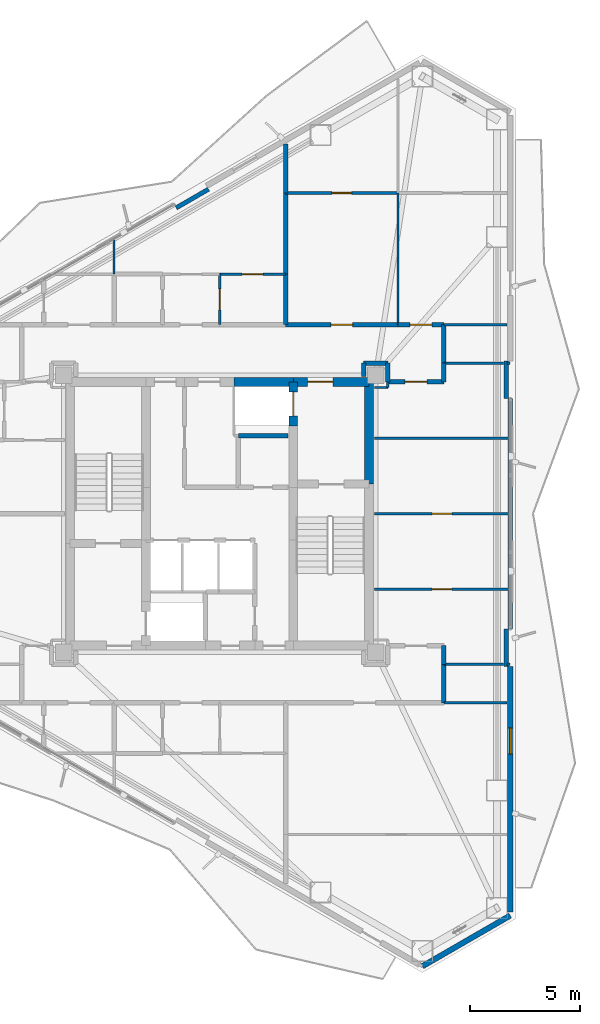
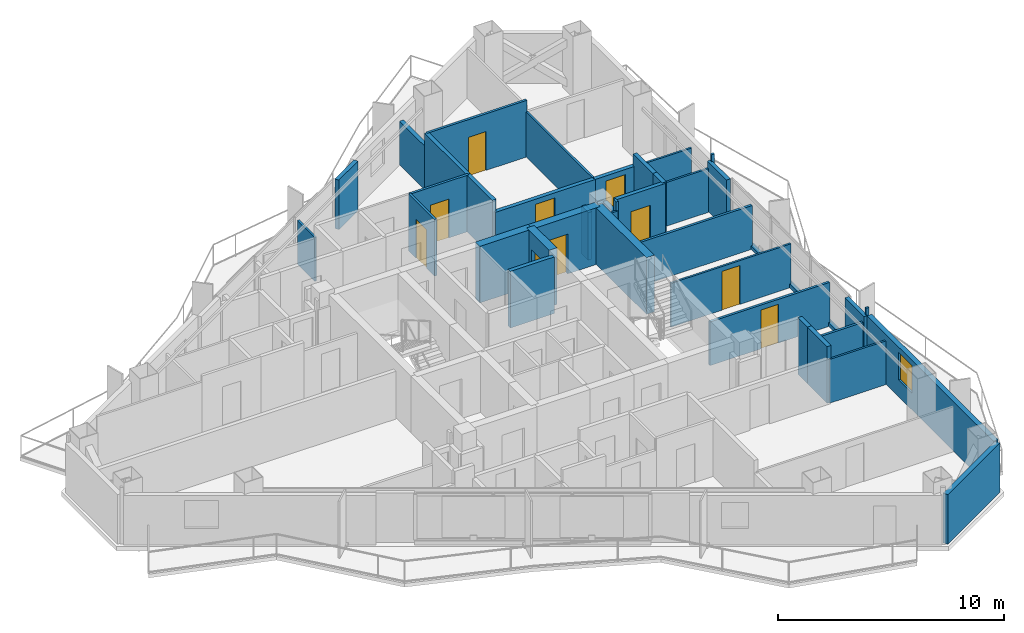
# One storey, part 15 of 18: 40 walls, 10 doors, 1 window, 11 openings.
"""IFC4 building model written with IfcOpenShell, lengths in metres."""

from ifc_helpers import new_model, si_unit, direction, frame, frame_2d, origin, place, context, subcontext, project, spatial, rectangle, extrude, material, layer, layer_set, type_object, element, fill, save


model = new_model("IFC4")

# Units and contexts
model_context = context("Model", 3, precision=1e-05, world=origin(), true_north=direction((0.0, 1.0)))
body_context = subcontext(model_context, "Body", "Model", "MODEL_VIEW")
ifc_project = project(units=[si_unit("LENGTHUNIT", "METRE"), si_unit("AREAUNIT", "SQUARE_METRE"), si_unit("VOLUMEUNIT", "CUBIC_METRE"), si_unit("PLANEANGLEUNIT", "RADIAN"), si_unit("MASSUNIT", "GRAM", prefix="KILO")], contexts=[model_context])

# Site, building, storey
site_placement = place(None, origin())
site = spatial("IfcSite", under=ifc_project, at=site_placement, CompositionType="ELEMENT")
building_placement = place(site_placement, origin())
building = spatial("IfcBuilding", under=site, at=building_placement, Name="Mersakhor Tower and Convention Hall", CompositionType="ELEMENT")
storey_placement = place(building_placement, frame((0.0, 0.0, 150.89990234375)))
storey = spatial("IfcBuildingStorey", under=building, at=storey_placement, Name="L42", CompositionType="ELEMENT", Elevation=150.89990234375)

# Wall
ifc_material_1 = material(Name="Precast concrete C40/50", Category="concrete")
ifc_layer_1 = layer(ifc_material_1, 0.25)
ifc_layer_set_1 = layer_set([ifc_layer_1], Name="Precast concrete C40/50")
wall_type_1 = type_object("IfcWallType", Name="WL-EXT-250", PredefinedType="SOLIDWALL", material=ifc_layer_set_1)
wall_1_placement = place(storey_placement, frame((42.21923828125, 8.470947265625, 0.0), z_axis=(0.0, 0.0, 1.0), x_axis=(-0.866035021055, -0.499983342029, 0.0)))
element("IfcWall", 1, at=wall_1_placement, inside=storey, type_object=wall_type_1, Name="L42 Chamfer Braced Spandrel Wall C2", PredefinedType="SOLIDWALL", context=body_context, shape_type="SweptSolid", body=[
    extrude(rectangle(XDim=4.617431640625, YDim=0.25, at=frame_2d((2.30859375, 0.0))), origin(), (0.0, 0.0, 1.0), 2.68017578125),
])

# Wall, opening, window
wall_2_placement = place(storey_placement, frame((42.21923828125, 19.806884765625, 0.0), z_axis=(0.0, 0.0, 1.0), x_axis=(0.0, -1.0, 0.0)))
wall_2 = element("IfcWall", 2, at=wall_2_placement, inside=storey, type_object=wall_type_1, Name="L42 Exterior Facade Wall F2-B3", PredefinedType="SOLIDWALL", context=body_context, shape_type="SweptSolid", body=[
    extrude(rectangle(XDim=11.185791015625, YDim=0.25, at=frame_2d((5.5927734375, 0.0))), origin(), (0.0, 0.0, 1.0), 2.68017578125),
])
opening_1_placement = place(wall_2_placement, frame((2.7958984375, 0.0, 0.89990234375)))
opening_1 = element("IfcOpeningElement", 3, at=opening_1_placement, cuts=wall_2, Name="Opening W-01", PredefinedType="OPENING", context=body_context, shape_type="SweptSolid", body=[
    extrude(rectangle(XDim=1.199951171875, YDim=1.5, at=frame_2d((0.60009765625, 0.75))), frame((0.0, 0.135009765625, 0.0), z_axis=(0.0, -1.0, 0.0), x_axis=(1.0, 0.0, 0.0)), (0.0, 0.0, 1.0), 0.27001953125),
])
ifc_material_2 = material(Name="Dark solar low-E glazed aluminium window", Category="aluminium")
window_type = type_object("IfcWindowType", Name="WN-RES-120x150", PartitioningType="SINGLE_PANEL", PredefinedType="WINDOW", material=ifc_material_2)
window_placement = place(opening_1_placement, origin())
window = element("IfcWindow", 4, at=window_placement, inside=storey, type_object=window_type, Name="L42 Facade Punched Window F2-B3", OverallHeight=1.5, OverallWidth=1.199951171875, PartitioningType="SINGLE_PANEL", PredefinedType="WINDOW", context=body_context, shape_type="SweptSolid", body=[
    extrude(rectangle(XDim=1.199951171875, YDim=1.5, at=frame_2d((0.60009765625, 0.75))), frame((0.0, 0.030029296875, 0.0), z_axis=(0.0, -1.0, 0.0), x_axis=(1.0, 0.0, 0.0)), (0.0, 0.0, 1.0), 0.06005859375),
])
fill(opening_1, window)

# Walls
ifc_material_3 = material(Name="Precast concrete C40/50", Category="concrete")
ifc_layer_2 = layer(ifc_material_3, 0.199951171875)
ifc_layer_set_2 = layer_set([ifc_layer_2], Name="Precast concrete C40/50")
wall_type_2 = type_object("IfcWallType", Name="WL-PAR-200", PredefinedType="PARAPET", material=ifc_layer_set_2)
wall_3_placement = place(storey_placement, frame((27.02099609375, 40.663818359375, 0.0), z_axis=(0.0, 0.0, 1.0), x_axis=(0.86605165483, 0.499954529098, 0.0)))
element("IfcWall", 5, at=wall_3_placement, inside=storey, type_object=wall_type_2, Name="L42 Column Pier Cladding Wall F1-C2", PredefinedType="PARAPET", context=body_context, shape_type="SweptSolid", body=[
    extrude(rectangle(XDim=1.699951171875, YDim=0.199951171875, at=frame_2d((0.85009765625, 0.0))), origin(), (0.0, 0.0, 1.0), 2.68017578125),
])
wall_4_placement = place(storey_placement, frame((42.21923828125, 31.992919921875, 0.0), z_axis=(0.0, 0.0, 1.0), x_axis=(0.0, -1.0, 0.0)))
element("IfcWall", 6, at=wall_4_placement, inside=storey, type_object=wall_type_2, Name="L42 Curtain Wall Upstand Sill F2-B2", PredefinedType="PARAPET", context=body_context, shape_type="SweptSolid", body=[
    extrude(rectangle(XDim=10.48583984375, YDim=0.199951171875, at=frame_2d((5.242919921875, 0.0))), origin(), (0.0, 0.0, 1.0), 0.2001953125),
])
for number, where, z_axis, x_axis, name in (
    (7, (42.039306640625, 33.693115234375, 0.0), (0.0, 0.0, 1.0), (0.0, -1.0, 0.0), "L42 Column Pier Cladding Wall F2-C1"),
    (8, (42.039306640625, 21.507080078125, 0.0), (0.0, 0.0, 1.0), (0.0, -1.0, 0.0), "L42 Column Pier Cladding Wall F2-C2"),
):
    element("IfcWall", number, at=place(storey_placement, frame(where, z_axis=z_axis, x_axis=x_axis)), inside=storey, type_object=wall_type_2, Name=name, PredefinedType="PARAPET", context=body_context, shape_type="SweptSolid", body=[
        extrude(rectangle(XDim=1.7001953125, YDim=0.199951171875, at=frame_2d((0.85009765625, 0.0))), origin(), (0.0, 0.0, 1.0), 2.68017578125),
    ])
ifc_material_4 = material(Name="Lightweight gypsum partition", Category="other")
ifc_layer_3 = layer(ifc_material_4, 0.10009765625)
ifc_layer_set_3 = layer_set([ifc_layer_3], Name="Lightweight gypsum partition")
wall_type_3 = type_object("IfcWallType", Name="WL-PRT-100", PredefinedType="PARTITIONING", material=ifc_layer_set_3)
wall_5_placement = place(storey_placement, frame((37.110107421875, 41.340087890625, 0.0), z_axis=(0.0, 0.0, 1.0), x_axis=(0.0, -1.0, 0.0)))
element("IfcWall", 9, at=wall_5_placement, inside=storey, type_object=wall_type_3, Name="L42 Interior Partition Wall P-080", PredefinedType="PARTITIONING", context=body_context, shape_type="SweptSolid", body=[
    extrude(rectangle(XDim=5.989990234375, YDim=0.10009765625, at=frame_2d((2.9951171875, 0.0))), origin(), (0.0, 0.0, 1.0), 2.432861328125),
])
for number, where, z_axis, x_axis, name in (
    (10, (42.0703125, 35.35009765625, 0.0), (0.0, 0.0, 1.0), (-1.0, 0.0, 0.0), "L42 Interior Partition Wall P-082"),
    (11, (39.199951171875, 18.14990234375, 0.0), (0.0, 0.0, 1.0), (1.0, 0.0, 0.0), "L42 Interior Partition Wall P-088"),
):
    element("IfcWall", number, at=place(storey_placement, frame(where, z_axis=z_axis, x_axis=x_axis)), inside=storey, type_object=wall_type_3, Name=name, PredefinedType="PARTITIONING", context=body_context, shape_type="SweptSolid", body=[
        extrude(rectangle(XDim=2.870361328125, YDim=0.10009765625, at=frame_2d((1.43505859375, 0.0))), origin(), (0.0, 0.0, 1.0), 2.364990234375),
    ])
wall_6_placement = place(storey_placement, frame((42.218994140625, 19.89990234375, 0.0), z_axis=(0.0, 0.0, 1.0), x_axis=(-1.0, 0.0, 0.0)))
element("IfcWall", 12, at=wall_6_placement, inside=storey, type_object=wall_type_3, Name="L42 Interior Partition Wall P-098", PredefinedType="PARTITIONING", context=body_context, shape_type="SweptSolid", body=[
    extrude(rectangle(XDim=0.144775390625, YDim=0.10009765625, at=frame_2d((0.072265625, 0.0))), origin(), (0.0, 0.0, 1.0), 3.06005859375),
])

# Wall, opening, door
wall_7_placement = place(storey_placement, frame((36.050048828125, 26.75, 0.0), z_axis=(0.0, 0.0, 1.0), x_axis=(1.0, 0.0, 0.0)))
wall_7 = element("IfcWall", 13, at=wall_7_placement, inside=storey, type_object=wall_type_3, Name="L42 Interior Partition Wall P-100", PredefinedType="PARTITIONING", context=body_context, shape_type="SweptSolid", body=[
    extrude(rectangle(XDim=6.131103515625, YDim=0.10009765625, at=frame_2d((3.0654296875, 0.0))), origin(), (0.0, 0.0, 1.0), 2.364990234375),
])
opening_2_placement = place(wall_7_placement, frame((2.615478515625, 0.0, 0.0)))
opening_2 = element("IfcOpeningElement", 14, at=opening_2_placement, cuts=wall_7, Name="Opening WD-01", PredefinedType="OPENING", context=body_context, shape_type="SweptSolid", body=[
    extrude(rectangle(XDim=0.89990234375, YDim=2.10009765625, at=frame_2d((0.449951171875, 1.050048828125))), frame((0.0, 0.06005859375, 0.0), z_axis=(0.0, -1.0, 0.0), x_axis=(1.0, 0.0, 0.0)), (0.0, 0.0, 1.0), 0.1201171875),
])
ifc_material_5 = material(Name="Solid-core hardwood leaf in painted steel frame", Category="steel")
door_type_1 = type_object("IfcDoorType", Name="DR-INT-WET-090x210", OperationType="NOTDEFINED", PredefinedType="DOOR", material=ifc_material_5)
door_1_placement = place(opening_2_placement, origin())
door_1 = element("IfcDoor", 15, at=door_1_placement, inside=storey, type_object=door_type_1, Name="L42 L42 East Wing Shared Study Room Annex to L42 East Wing Shared Study Room Annex Door", OperationType="SINGLE_SWING_RIGHT", OverallHeight=2.10009765625, OverallWidth=0.89990234375, PredefinedType="DOOR", context=body_context, shape_type="SweptSolid", body=[
    extrude(rectangle(XDim=0.89990234375, YDim=2.10009765625, at=frame_2d((0.449951171875, 1.050048828125))), frame((0.0, 0.02490234375, 0.0), z_axis=(0.0, -1.0, 0.0), x_axis=(1.0, 0.0, 0.0)), (0.0, 0.0, 1.0), 0.050048828125),
])
fill(opening_2, door_1)

# Walls
wall_8_placement = place(storey_placement, frame((39.199951171875, 33.60009765625, 0.0), z_axis=(0.0, 0.0, 1.0), x_axis=(1.0, 0.0, 0.0)))
element("IfcWall", 16, at=wall_8_placement, inside=storey, type_object=wall_type_3, Name="L42 Interior Partition Wall P-102", PredefinedType="PARTITIONING", context=body_context, shape_type="SweptSolid", body=[
    extrude(rectangle(XDim=2.71533203125, YDim=0.10009765625, at=frame_2d((1.357666015625, 0.0))), origin(), (0.0, 0.0, 1.0), 2.364990234375),
])
wall_9_placement = place(storey_placement, frame((36.050048828125, 32.5, 0.0), z_axis=(0.0, 0.0, 1.0), x_axis=(1.0, 0.0, 0.0)))
element("IfcWall", 17, at=wall_9_placement, inside=storey, type_object=wall_type_3, Name="L42 Interior Partition Wall P-104", PredefinedType="PARTITIONING", context=body_context, shape_type="SweptSolid", body=[
    extrude(rectangle(XDim=0.599853515625, YDim=0.10009765625, at=frame_2d((0.2998046875, 0.0))), origin(), (0.0, 0.0, 1.0), 2.585205078125),
])
wall_10_placement = place(storey_placement, frame((24.199951171875, 37.64990234375, 0.0), z_axis=(0.0, 0.0, 1.0), x_axis=(0.0, 1.0, 0.0)))
element("IfcWall", 18, at=wall_10_placement, inside=storey, type_object=wall_type_3, Name="L42 Interior Partition Wall P-110", PredefinedType="PARTITIONING", context=body_context, shape_type="SweptSolid", body=[
    extrude(rectangle(XDim=1.549072265625, YDim=0.10009765625, at=frame_2d((0.7744140625, 0.0))), origin(), (0.0, 0.0, 1.0), 2.364990234375),
])

# Wall, opening, door
ifc_material_6 = material(Name="Gypsum board acoustic partition", Category="other")
ifc_layer_4 = layer(ifc_material_6, 0.125)
ifc_layer_set_4 = layer_set([ifc_layer_4], Name="Gypsum board acoustic partition")
wall_type_4 = type_object("IfcWallType", Name="WL-PRT-125", PredefinedType="PARTITIONING", material=ifc_layer_set_4)
wall_11_placement = place(storey_placement, frame((29.0, 37.64990234375, 0.0), z_axis=(0.0, 0.0, 1.0), x_axis=(0.0, -1.0, 0.0)))
wall_11 = element("IfcWall", 19, at=wall_11_placement, inside=storey, type_object=wall_type_4, Name="L42 Interior Partition Wall P-053", PredefinedType="PARTITIONING", context=body_context, shape_type="SweptSolid", body=[
    extrude(rectangle(XDim=2.2998046875, YDim=0.125, at=frame_2d((1.14990234375, 0.0))), origin(), (0.0, 0.0, 1.0), 3.06005859375),
])
opening_3_placement = place(wall_11_placement, frame((0.675048828125, 0.0, 0.0)))
opening_3 = element("IfcOpeningElement", 20, at=opening_3_placement, cuts=wall_11, Name="Opening RD-01", PredefinedType="OPENING", context=body_context, shape_type="SweptSolid", body=[
    extrude(rectangle(XDim=0.949951171875, YDim=2.10009765625, at=frame_2d((0.47509765625, 1.050048828125))), frame((0.0, 0.072509765625, 0.0), z_axis=(0.0, -1.0, 0.0), x_axis=(1.0, 0.0, 0.0)), (0.0, 0.0, 1.0), 0.14501953125),
])
ifc_material_7 = material(Name="Solid-core hardwood leaf in painted steel frame", Category="steel")
door_type_2 = type_object("IfcDoorType", Name="DR-INT-RM-095x210", OperationType="NOTDEFINED", PredefinedType="DOOR", material=ifc_material_7)
door_2_placement = place(opening_3_placement, origin())
door_2 = element("IfcDoor", 21, at=door_2_placement, inside=storey, type_object=door_type_2, Name="L42 L42 Flat N2 Apartment Hall to L42 Flat N2 Kitchen Door", OperationType="SINGLE_SWING_RIGHT", OverallHeight=2.10009765625, OverallWidth=0.949951171875, PredefinedType="DOOR", context=body_context, shape_type="SweptSolid", body=[
    extrude(rectangle(XDim=0.949951171875, YDim=2.10009765625, at=frame_2d((0.47509765625, 1.050048828125))), frame((0.0, 0.02490234375, 0.0), z_axis=(0.0, -1.0, 0.0), x_axis=(1.0, 0.0, 0.0)), (0.0, 0.0, 1.0), 0.050048828125),
])
fill(opening_3, door_2)

wall_12_placement = place(storey_placement, frame((29.0, 37.64990234375, 0.0), z_axis=(0.0, 0.0, 1.0), x_axis=(1.0, 0.0, 0.0)))
wall_12 = element("IfcWall", 22, at=wall_12_placement, inside=storey, type_object=wall_type_4, Name="L42 Interior Partition Wall P-065", PredefinedType="PARTITIONING", context=body_context, shape_type="SweptSolid", body=[
    extrude(rectangle(XDim=3.0, YDim=0.125, at=frame_2d((1.5, 0.0))), origin(), (0.0, 0.0, 1.0), 3.06005859375),
])
opening_4_placement = place(wall_12_placement, frame((1.02490234375, 0.0, 0.0)))
opening_4 = element("IfcOpeningElement", 23, at=opening_4_placement, cuts=wall_12, Name="Opening RD-01", PredefinedType="OPENING", context=body_context, shape_type="SweptSolid", body=[
    extrude(rectangle(XDim=0.949951171875, YDim=2.10009765625, at=frame_2d((0.47509765625, 1.050048828125))), frame((0.0, 0.072509765625, 0.0), z_axis=(0.0, -1.0, 0.0), x_axis=(1.0, 0.0, 0.0)), (0.0, 0.0, 1.0), 0.14501953125),
])
door_3_placement = place(opening_4_placement, origin())
door_3 = element("IfcDoor", 24, at=door_3_placement, inside=storey, type_object=door_type_2, Name="L42 L42 Flat N2 Kitchen to L42 Flat N2 Studio Living and Sleeping Room Door", OperationType="SINGLE_SWING_LEFT", OverallHeight=2.10009765625, OverallWidth=0.949951171875, PredefinedType="DOOR", context=body_context, shape_type="SweptSolid", body=[
    extrude(rectangle(XDim=0.949951171875, YDim=2.10009765625, at=frame_2d((0.47509765625, 1.050048828125))), frame((0.0, 0.02490234375, 0.0), z_axis=(0.0, -1.0, 0.0), x_axis=(1.0, 0.0, 0.0)), (0.0, 0.0, 1.0), 0.050048828125),
])
fill(opening_4, door_3)

wall_13_placement = place(storey_placement, frame((32.0, 41.340087890625, 0.0), z_axis=(0.0, 0.0, 1.0), x_axis=(1.0, 0.0, 0.0)))
wall_13 = element("IfcWall", 25, at=wall_13_placement, inside=storey, type_object=wall_type_4, Name="L42 Interior Partition Wall P-079", PredefinedType="PARTITIONING", context=body_context, shape_type="SweptSolid", body=[
    extrude(rectangle(XDim=5.110107421875, YDim=0.125, at=frame_2d((2.55517578125, 0.0))), origin(), (0.0, 0.0, 1.0), 3.06005859375),
])
opening_5_placement = place(wall_13_placement, frame((2.10498046875, 0.0, 0.0)))
opening_5 = element("IfcOpeningElement", 26, at=opening_5_placement, cuts=wall_13, Name="Opening WD-01", PredefinedType="OPENING", context=body_context, shape_type="SweptSolid", body=[
    extrude(rectangle(XDim=0.89990234375, YDim=2.10009765625, at=frame_2d((0.449951171875, 1.050048828125))), frame((0.0, 0.072509765625, 0.0), z_axis=(0.0, -1.0, 0.0), x_axis=(1.0, 0.0, 0.0)), (0.0, 0.0, 1.0), 0.14501953125),
])
door_4_placement = place(opening_5_placement, origin())
door_4 = element("IfcDoor", 27, at=door_4_placement, inside=storey, type_object=door_type_1, Name="L42 L42 North-East Residents Study Room to L42 North-East Residents Study Room Annex Door", OperationType="SINGLE_SWING_RIGHT", OverallHeight=2.10009765625, OverallWidth=0.89990234375, PredefinedType="DOOR", context=body_context, shape_type="SweptSolid", body=[
    extrude(rectangle(XDim=0.89990234375, YDim=2.10009765625, at=frame_2d((0.449951171875, 1.050048828125))), frame((0.0, 0.02490234375, 0.0), z_axis=(0.0, -1.0, 0.0), x_axis=(1.0, 0.0, 0.0)), (0.0, 0.0, 1.0), 0.050048828125),
])
fill(opening_5, door_4)

wall_14_placement = place(storey_placement, frame((36.050048828125, 23.320068359375, 0.0), z_axis=(0.0, 0.0, 1.0), x_axis=(1.0, 0.0, 0.0)))
wall_14 = element("IfcWall", 28, at=wall_14_placement, inside=storey, type_object=wall_type_4, Name="L42 Interior Partition Wall P-097", PredefinedType="PARTITIONING", context=body_context, shape_type="SweptSolid", body=[
    extrude(rectangle(XDim=6.131103515625, YDim=0.125, at=frame_2d((3.0654296875, 0.0))), origin(), (0.0, 0.0, 1.0), 2.364990234375),
])
opening_6_placement = place(wall_14_placement, frame((2.615478515625, 0.0, 0.0)))
opening_6 = element("IfcOpeningElement", 29, at=opening_6_placement, cuts=wall_14, Name="Opening WD-01", PredefinedType="OPENING", context=body_context, shape_type="SweptSolid", body=[
    extrude(rectangle(XDim=0.89990234375, YDim=2.10009765625, at=frame_2d((0.449951171875, 1.050048828125))), frame((0.0, 0.072509765625, 0.0), z_axis=(0.0, -1.0, 0.0), x_axis=(1.0, 0.0, 0.0)), (0.0, 0.0, 1.0), 0.14501953125),
])
door_5_placement = place(opening_6_placement, origin())
door_5 = element("IfcDoor", 30, at=door_5_placement, inside=storey, type_object=door_type_1, Name="L42 L42 East Wing Shared Study Room to L42 East Wing Shared Study Room Annex Door", OperationType="SINGLE_SWING_LEFT", OverallHeight=2.10009765625, OverallWidth=0.89990234375, PredefinedType="DOOR", context=body_context, shape_type="SweptSolid", body=[
    extrude(rectangle(XDim=0.89990234375, YDim=2.10009765625, at=frame_2d((0.449951171875, 1.050048828125))), frame((0.0, 0.02490234375, 0.0), z_axis=(0.0, -1.0, 0.0), x_axis=(1.0, 0.0, 0.0)), (0.0, 0.0, 1.0), 0.050048828125),
])
fill(opening_6, door_5)

# Walls
wall_15_placement = place(storey_placement, frame((41.915283203125, 19.89990234375, 0.0), z_axis=(0.0, 0.0, 1.0), x_axis=(-1.0, 0.0, 0.0)))
element("IfcWall", 31, at=wall_15_placement, inside=storey, type_object=wall_type_4, Name="L42 Interior Partition Wall P-099", PredefinedType="PARTITIONING", context=body_context, shape_type="SweptSolid", body=[
    extrude(rectangle(XDim=2.71533203125, YDim=0.125, at=frame_2d((1.357666015625, 0.0))), origin(), (0.0, 0.0, 1.0), 2.364990234375),
])
wall_16_placement = place(storey_placement, frame((36.050048828125, 30.179931640625, 0.0), z_axis=(0.0, 0.0, 1.0), x_axis=(1.0, 0.0, 0.0)))
element("IfcWall", 32, at=wall_16_placement, inside=storey, type_object=wall_type_4, Name="L42 Interior Partition Wall P-101", PredefinedType="PARTITIONING", context=body_context, shape_type="SweptSolid", body=[
    extrude(rectangle(XDim=6.131103515625, YDim=0.125, at=frame_2d((3.0654296875, 0.0))), origin(), (0.0, 0.0, 1.0), 2.364990234375),
])
wall_17_placement = place(storey_placement, frame((42.07421875, 33.60009765625, 0.0), z_axis=(0.0, 0.0, 1.0), x_axis=(1.0, 0.0, 0.0)))
element("IfcWall", 33, at=wall_17_placement, inside=storey, type_object=wall_type_4, Name="L42 Interior Partition Wall P-103", PredefinedType="PARTITIONING", context=body_context, shape_type="SweptSolid", body=[
    extrude(rectangle(XDim=0.144775390625, YDim=0.125, at=frame_2d((0.072265625, 0.0))), origin(), (0.0, 0.0, 1.0), 3.06005859375),
])
wall_18_placement = place(storey_placement, frame((36.64990234375, 32.5, 0.0), z_axis=(0.0, 0.0, 1.0), x_axis=(0.0, 1.0, 0.0)))
element("IfcWall", 34, at=wall_18_placement, inside=storey, type_object=wall_type_4, Name="L42 Interior Partition Wall P-105", PredefinedType="PARTITIONING", context=body_context, shape_type="SweptSolid", body=[
    extrude(rectangle(XDim=0.25, YDim=0.125, at=frame_2d((0.125, 0.0))), origin(), (0.0, 0.0, 1.0), 3.06005859375),
])
ifc_material_8 = material(Name="Acoustic concrete blockwork and gypsum board", Category="masonry")
ifc_layer_5 = layer(ifc_material_8, 0.199951171875)
ifc_layer_set_5 = layer_set([ifc_layer_5], Name="Acoustic concrete blockwork and gypsum board")
wall_type_5 = type_object("IfcWallType", Name="WL-PRT-200", PredefinedType="PARTITIONING", material=ifc_layer_set_5)
wall_19_placement = place(storey_placement, frame((32.10009765625, 30.300048828125, 0.0), z_axis=(0.0, 0.0, 1.0), x_axis=(-1.0, 0.0, 0.0)))
element("IfcWall", 35, at=wall_19_placement, inside=storey, type_object=wall_type_5, Name="L42 Interior Partition Wall P-004", PredefinedType="PARTITIONING", context=body_context, shape_type="SweptSolid", body=[
    extrude(rectangle(XDim=2.25, YDim=0.199951171875, at=frame_2d((1.125, 0.0))), origin(), (0.0, 0.0, 1.0), 3.06005859375),
])
wall_20_placement = place(storey_placement, frame((35.550048828125, 33.60009765625, 0.0), z_axis=(0.0, 0.0, 1.0), x_axis=(0.0, -1.0, 0.0)))
element("IfcWall", 36, at=wall_20_placement, inside=storey, type_object=wall_type_5, Name="L42 Interior Partition Wall P-016", PredefinedType="PARTITIONING", context=body_context, shape_type="SweptSolid", body=[
    extrude(rectangle(XDim=0.60009765625, YDim=0.199951171875, at=frame_2d((0.300048828125, 0.0))), origin(), (0.0, 0.0, 1.0), 2.585205078125),
])

# Wall, opening, door
wall_21_placement = place(storey_placement, frame((32.0, 35.35009765625, 0.0), z_axis=(0.0, 0.0, 1.0), x_axis=(1.0, 0.0, 0.0)))
wall_21 = element("IfcWall", 37, at=wall_21_placement, inside=storey, type_object=wall_type_5, Name="L42 Interior Partition Wall P-027", PredefinedType="PARTITIONING", context=body_context, shape_type="SweptSolid", body=[
    extrude(rectangle(XDim=5.110107421875, YDim=0.199951171875, at=frame_2d((2.55517578125, 0.0))), origin(), (0.0, 0.0, 1.0), 2.432861328125),
])
opening_7_placement = place(wall_21_placement, frame((2.054931640625, 0.0, 0.0)))
opening_7 = element("IfcOpeningElement", 38, at=opening_7_placement, cuts=wall_21, Name="Opening FD-01", PredefinedType="OPENING", context=body_context, shape_type="SweptSolid", body=[
    extrude(rectangle(XDim=1.0, YDim=2.14990234375, at=frame_2d((0.5, 1.074951171875))), frame((0.0, 0.10986328125, 0.0), z_axis=(0.0, -1.0, 0.0), x_axis=(1.0, 0.0, 0.0)), (0.0, 0.0, 1.0), 0.219970703125),
])
ifc_material_9 = material(Name="Fire-rated hardwood leaf and painted steel frame", Category="steel")
door_type_3 = type_object("IfcDoorType", Name="DR-INT-FLT-100x215", OperationType="NOTDEFINED", PredefinedType="DOOR", material=ifc_material_9)
door_6_placement = place(opening_7_placement, origin())
door_6 = element("IfcDoor", 39, at=door_6_placement, inside=storey, type_object=door_type_3, Name="L42 Residential North Gallery Corridor to L42 North-East Residents Study Room Door", OperationType="SINGLE_SWING_LEFT", OverallHeight=2.14990234375, OverallWidth=1.0, PredefinedType="DOOR", context=body_context, shape_type="SweptSolid", body=[
    extrude(rectangle(XDim=1.0, YDim=2.14990234375, at=frame_2d((0.5, 1.074951171875))), frame((0.0, 0.02490234375, 0.0), z_axis=(0.0, -1.0, 0.0), x_axis=(1.0, 0.0, 0.0)), (0.0, 0.0, 1.0), 0.050048828125),
])
fill(opening_7, door_6)

wall_22_placement = place(storey_placement, frame((37.110107421875, 35.35009765625, 0.0), z_axis=(0.0, 0.0, 1.0), x_axis=(1.0, 0.0, 0.0)))
wall_22 = element("IfcWall", 40, at=wall_22_placement, inside=storey, type_object=wall_type_5, Name="L42 Interior Partition Wall P-028", PredefinedType="PARTITIONING", context=body_context, shape_type="SweptSolid", body=[
    extrude(rectangle(XDim=2.08984375, YDim=0.199951171875, at=frame_2d((1.044921875, 0.0))), origin(), (0.0, 0.0, 1.0), 2.432861328125),
])
opening_8_placement = place(wall_22_placement, frame((0.544921875, 0.0, 0.0)))
opening_8 = element("IfcOpeningElement", 41, at=opening_8_placement, cuts=wall_22, Name="Opening FD-01", PredefinedType="OPENING", context=body_context, shape_type="SweptSolid", body=[
    extrude(rectangle(XDim=1.0, YDim=2.14990234375, at=frame_2d((0.5, 1.074951171875))), frame((0.0, 0.10986328125, 0.0), z_axis=(0.0, -1.0, 0.0), x_axis=(1.0, 0.0, 0.0)), (0.0, 0.0, 1.0), 0.219970703125),
])
door_7_placement = place(opening_8_placement, origin())
door_7 = element("IfcDoor", 42, at=door_7_placement, inside=storey, type_object=door_type_3, Name="L42 Residential North Gallery Corridor to L42 North-East Residents Study Room Annex Door", OperationType="SINGLE_SWING_RIGHT", OverallHeight=2.14990234375, OverallWidth=1.0, PredefinedType="DOOR", context=body_context, shape_type="SweptSolid", body=[
    extrude(rectangle(XDim=1.0, YDim=2.14990234375, at=frame_2d((0.5, 1.074951171875))), frame((0.0, 0.02490234375, 0.0), z_axis=(0.0, -1.0, 0.0), x_axis=(1.0, 0.0, 0.0)), (0.0, 0.0, 1.0), 0.050048828125),
])
fill(opening_8, door_7)

# Walls
wall_23_placement = place(storey_placement, frame((39.199951171875, 35.35009765625, 0.0), z_axis=(0.0, 0.0, 1.0), x_axis=(0.0, -1.0, 0.0)))
element("IfcWall", 43, at=wall_23_placement, inside=storey, type_object=wall_type_5, Name="L42 Interior Partition Wall P-029", PredefinedType="PARTITIONING", context=body_context, shape_type="SweptSolid", body=[
    extrude(rectangle(XDim=1.75, YDim=0.199951171875, at=frame_2d((0.875, 0.0))), origin(), (0.0, 0.0, 1.0), 3.06005859375),
])
wall_24_placement = place(storey_placement, frame((39.199951171875, 33.60009765625, 0.0), z_axis=(0.0, 0.0, 1.0), x_axis=(0.0, -1.0, 0.0)))
element("IfcWall", 44, at=wall_24_placement, inside=storey, type_object=wall_type_5, Name="L42 Interior Partition Wall P-030", PredefinedType="PARTITIONING", context=body_context, shape_type="SweptSolid", body=[
    extrude(rectangle(XDim=0.85009765625, YDim=0.199951171875, at=frame_2d((0.425048828125, 0.0))), origin(), (0.0, 0.0, 1.0), 3.06005859375),
])

# Wall, opening, door
wall_25_placement = place(storey_placement, frame((39.199951171875, 32.75, 0.0), z_axis=(0.0, 0.0, 1.0), x_axis=(-1.0, 0.0, 0.0)))
wall_25 = element("IfcWall", 45, at=wall_25_placement, inside=storey, type_object=wall_type_5, Name="L42 Interior Partition Wall P-031", PredefinedType="PARTITIONING", context=body_context, shape_type="SweptSolid", body=[
    extrude(rectangle(XDim=2.550048828125, YDim=0.199951171875, at=frame_2d((1.27490234375, 0.0))), origin(), (0.0, 0.0, 1.0), 3.06005859375),
])
opening_9_placement = place(wall_25_placement, frame((0.77490234375, 0.0, 0.0)))
opening_9 = element("IfcOpeningElement", 46, at=opening_9_placement, cuts=wall_25, Name="Opening FD-01", PredefinedType="OPENING", context=body_context, shape_type="SweptSolid", body=[
    extrude(rectangle(XDim=1.0, YDim=2.14990234375, at=frame_2d((0.5, 1.074951171875))), frame((0.0, 0.10986328125, 0.0), z_axis=(0.0, -1.0, 0.0), x_axis=(1.0, 0.0, 0.0)), (0.0, 0.0, 1.0), 0.219970703125),
])
door_8_placement = place(opening_9_placement, origin())
door_8 = element("IfcDoor", 47, at=door_8_placement, inside=storey, type_object=door_type_3, Name="L42 Residential North Gallery Corridor to L42 East Wing Shared Study Room Annex Annex Door", OperationType="SINGLE_SWING_LEFT", OverallHeight=2.14990234375, OverallWidth=1.0, PredefinedType="DOOR", context=body_context, shape_type="SweptSolid", body=[
    extrude(rectangle(XDim=1.0, YDim=2.14990234375, at=frame_2d((0.5, 1.074951171875))), frame((0.0, 0.02490234375, 0.0), z_axis=(0.0, -1.0, 0.0), x_axis=(1.0, 0.0, 0.0)), (0.0, 0.0, 1.0), 0.050048828125),
])
fill(opening_9, door_8)

# Walls
wall_26_placement = place(storey_placement, frame((36.64990234375, 32.75, 0.0), z_axis=(0.0, 0.0, 1.0), x_axis=(0.0, 1.0, 0.0)))
element("IfcWall", 48, at=wall_26_placement, inside=storey, type_object=wall_type_5, Name="L42 Interior Partition Wall P-032", PredefinedType="PARTITIONING", context=body_context, shape_type="SweptSolid", body=[
    extrude(rectangle(XDim=0.85009765625, YDim=0.199951171875, at=frame_2d((0.425048828125, 0.0))), origin(), (0.0, 0.0, 1.0), 2.432861328125),
])
wall_27_placement = place(storey_placement, frame((36.64990234375, 33.60009765625, 0.0), z_axis=(0.0, 0.0, 1.0), x_axis=(-1.0, 0.0, 0.0)))
element("IfcWall", 49, at=wall_27_placement, inside=storey, type_object=wall_type_5, Name="L42 Interior Partition Wall P-033", PredefinedType="PARTITIONING", context=body_context, shape_type="SweptSolid", body=[
    extrude(rectangle(XDim=1.099853515625, YDim=0.199951171875, at=frame_2d((0.5498046875, 0.0))), origin(), (0.0, 0.0, 1.0), 2.432861328125),
])
wall_28_placement = place(storey_placement, frame((39.199951171875, 20.75, 0.0), z_axis=(0.0, 0.0, 1.0), x_axis=(0.0, -1.0, 0.0)))
element("IfcWall", 50, at=wall_28_placement, inside=storey, type_object=wall_type_5, Name="L42 Interior Partition Wall P-039", PredefinedType="PARTITIONING", context=body_context, shape_type="SweptSolid", body=[
    extrude(rectangle(XDim=0.85009765625, YDim=0.199951171875, at=frame_2d((0.425048828125, 0.0))), origin(), (0.0, 0.0, 1.0), 3.06005859375),
])
wall_29_placement = place(storey_placement, frame((39.199951171875, 19.89990234375, 0.0), z_axis=(0.0, 0.0, 1.0), x_axis=(0.0, -1.0, 0.0)))
element("IfcWall", 51, at=wall_29_placement, inside=storey, type_object=wall_type_5, Name="L42 Interior Partition Wall P-040", PredefinedType="PARTITIONING", context=body_context, shape_type="SweptSolid", body=[
    extrude(rectangle(XDim=1.75, YDim=0.199951171875, at=frame_2d((0.875, 0.0))), origin(), (0.0, 0.0, 1.0), 3.06005859375),
])
wall_30_placement = place(storey_placement, frame((32.0, 37.64990234375, 0.0), z_axis=(0.0, 0.0, 1.0), x_axis=(0.0, -1.0, 0.0)))
element("IfcWall", 52, at=wall_30_placement, inside=storey, type_object=wall_type_5, Name="L42 Interior Partition Wall P-066", PredefinedType="PARTITIONING", context=body_context, shape_type="SweptSolid", body=[
    extrude(rectangle(XDim=2.2998046875, YDim=0.199951171875, at=frame_2d((1.14990234375, 0.0))), origin(), (0.0, 0.0, 1.0), 3.06005859375),
])
wall_31_placement = place(storey_placement, frame((32.0, 37.64990234375, 0.0), z_axis=(0.0, 0.0, 1.0), x_axis=(0.0, 1.0, 0.0)))
element("IfcWall", 53, at=wall_31_placement, inside=storey, type_object=wall_type_5, Name="L42 Interior Partition Wall P-078", PredefinedType="PARTITIONING", context=body_context, shape_type="SweptSolid", body=[
    extrude(rectangle(XDim=3.690185546875, YDim=0.199951171875, at=frame_2d((1.84521484375, 0.0))), origin(), (0.0, 0.0, 1.0), 3.06005859375),
])
wall_32_placement = place(storey_placement, frame((32.0, 41.340087890625, 0.0), z_axis=(0.0, 0.0, 1.0), x_axis=(0.0, 1.0, 0.0)))
element("IfcWall", 54, at=wall_32_placement, inside=storey, type_object=wall_type_5, Name="L42 Interior Partition Wall P-083", PredefinedType="PARTITIONING", context=body_context, shape_type="SweptSolid", body=[
    extrude(rectangle(XDim=2.234130859375, YDim=0.199951171875, at=frame_2d((1.1171875, 0.0))), origin(), (0.0, 0.0, 1.0), 2.364990234375),
])
ifc_material_10 = material(Name="Concrete C60/75", Category="concrete")
ifc_layer_6 = layer(ifc_material_10, 0.39990234375)
ifc_layer_set_6 = layer_set([ifc_layer_6], Name="Concrete C60/75")
wall_type_6 = type_object("IfcWallType", Name="WL-SHR-400", PredefinedType="SHEAR", material=ifc_layer_set_6)
wall_33_placement = place(storey_placement, frame((29.64990234375, 32.75, 0.0), z_axis=(0.0, 0.0, 1.0), x_axis=(1.0, 0.0, 0.0)))
element("IfcWall", 55, at=wall_33_placement, inside=storey, type_object=wall_type_6, Name="L42 Core Wall CW-N3", PredefinedType="SHEAR", context=body_context, shape_type="SweptSolid", body=[
    extrude(rectangle(XDim=2.7001953125, YDim=0.39990234375, at=frame_2d((1.35009765625, 0.0))), origin(), (0.0, 0.0, 1.0), 3.06005859375),
])

# Wall, opening, door
wall_34_placement = place(storey_placement, frame((32.35009765625, 32.75, 0.0), z_axis=(0.0, 0.0, 1.0), x_axis=(1.0, 0.0, 0.0)))
wall_34 = element("IfcWall", 56, at=wall_34_placement, inside=storey, type_object=wall_type_6, Name="L42 Core Wall CW-N4", PredefinedType="SHEAR", context=body_context, shape_type="SweptSolid", body=[
    extrude(rectangle(XDim=3.449951171875, YDim=0.39990234375, at=frame_2d((1.72509765625, 0.0))), origin(), (0.0, 0.0, 1.0), 3.06005859375),
])
opening_10_placement = place(wall_34_placement, frame((0.64990234375, 0.0, 0.0)))
opening_10 = element("IfcOpeningElement", 57, at=opening_10_placement, cuts=wall_34, Name="Opening SD-01", PredefinedType="OPENING", context=body_context, shape_type="SweptSolid", body=[
    extrude(rectangle(XDim=1.14990234375, YDim=2.14990234375, at=frame_2d((0.574951171875, 1.074951171875))), frame((0.0, 0.2099609375, 0.0), z_axis=(0.0, -1.0, 0.0), x_axis=(1.0, 0.0, 0.0)), (0.0, 0.0, 1.0), 0.419921875),
])
ifc_material_11 = material(Name="Fire-rated hardwood leaf and painted steel frame", Category="steel")
door_type_4 = type_object("IfcDoorType", Name="DR-INT-STAIR-115x215", OperationType="NOTDEFINED", PredefinedType="DOOR", material=ifc_material_11)
door_9_placement = place(opening_10_placement, origin())
door_9 = element("IfcDoor", 58, at=door_9_placement, inside=storey, type_object=door_type_4, Name="L42 Firefighting Lobby East Fire Door", OperationType="SINGLE_SWING_RIGHT", OverallHeight=2.14990234375, OverallWidth=1.14990234375, PredefinedType="DOOR", context=body_context, shape_type="SweptSolid", body=[
    extrude(rectangle(XDim=1.14990234375, YDim=2.14990234375, at=frame_2d((0.574951171875, 1.074951171875))), frame((0.0, 0.02490234375, 0.0), z_axis=(0.0, -1.0, 0.0), x_axis=(1.0, 0.0, 0.0)), (0.0, 0.0, 1.0), 0.050048828125),
])
fill(opening_10, door_9)

# Wall
wall_35_placement = place(storey_placement, frame((35.800048828125, 32.75, 0.0), z_axis=(0.0, 0.0, 1.0), x_axis=(0.0, -1.0, 0.0)))
element("IfcWall", 59, at=wall_35_placement, inside=storey, type_object=wall_type_6, Name="L42 Core Wall CW-E1", PredefinedType="SHEAR", context=body_context, shape_type="SweptSolid", body=[
    extrude(rectangle(XDim=4.64990234375, YDim=0.39990234375, at=frame_2d((2.324951171875, 0.0))), origin(), (0.0, 0.0, 1.0), 3.06005859375),
])

# Wall, opening, door
wall_36_placement = place(storey_placement, frame((32.35009765625, 30.75, 0.0), z_axis=(0.0, 0.0, 1.0), x_axis=(0.0, 1.0, 0.0)))
wall_36 = element("IfcWall", 60, at=wall_36_placement, inside=storey, type_object=wall_type_6, Name="L42 Core Wall CS-E-FFL", PredefinedType="SHEAR", context=body_context, shape_type="SweptSolid", body=[
    extrude(rectangle(XDim=2.0, YDim=0.39990234375, at=frame_2d((1.0, 0.0))), origin(), (0.0, 0.0, 1.0), 3.06005859375),
])
opening_11_placement = place(wall_36_placement, frame((0.449951171875, 0.0, 0.0)))
opening_11 = element("IfcOpeningElement", 61, at=opening_11_placement, cuts=wall_36, Name="Opening LD-FFL2", PredefinedType="OPENING", context=body_context, shape_type="SweptSolid", body=[
    extrude(rectangle(XDim=1.10009765625, YDim=2.14990234375, at=frame_2d((0.550048828125, 1.074951171875))), frame((0.0, 0.2099609375, 0.0), z_axis=(0.0, -1.0, 0.0), x_axis=(1.0, 0.0, 0.0)), (0.0, 0.0, 1.0), 0.419921875),
])
ifc_material_12 = material(Name="Fire-rated brushed stainless steel sliding landing door", Category="steel")
door_type_5 = type_object("IfcDoorType", Name="DR-LIFT-SLD-110x215", OperationType="NOTDEFINED", PredefinedType="DOOR", material=ifc_material_12)
door_10_placement = place(opening_11_placement, origin())
door_10 = element("IfcDoor", 62, at=door_10_placement, inside=storey, type_object=door_type_5, Name="L42 Firefighting Lift Landing Door LD-FFL2", OperationType="SLIDING_TO_LEFT", OverallHeight=2.14990234375, OverallWidth=1.10009765625, PredefinedType="DOOR", context=body_context, shape_type="SweptSolid", body=[
    extrude(rectangle(XDim=1.10009765625, YDim=2.14990234375, at=frame_2d((0.550048828125, 1.074951171875))), frame((0.0, 0.02490234375, 0.0), z_axis=(0.0, -1.0, 0.0), x_axis=(1.0, 0.0, 0.0)), (0.0, 0.0, 1.0), 0.050048828125),
])
fill(opening_11, door_10)

save(model, "model.ifc")
